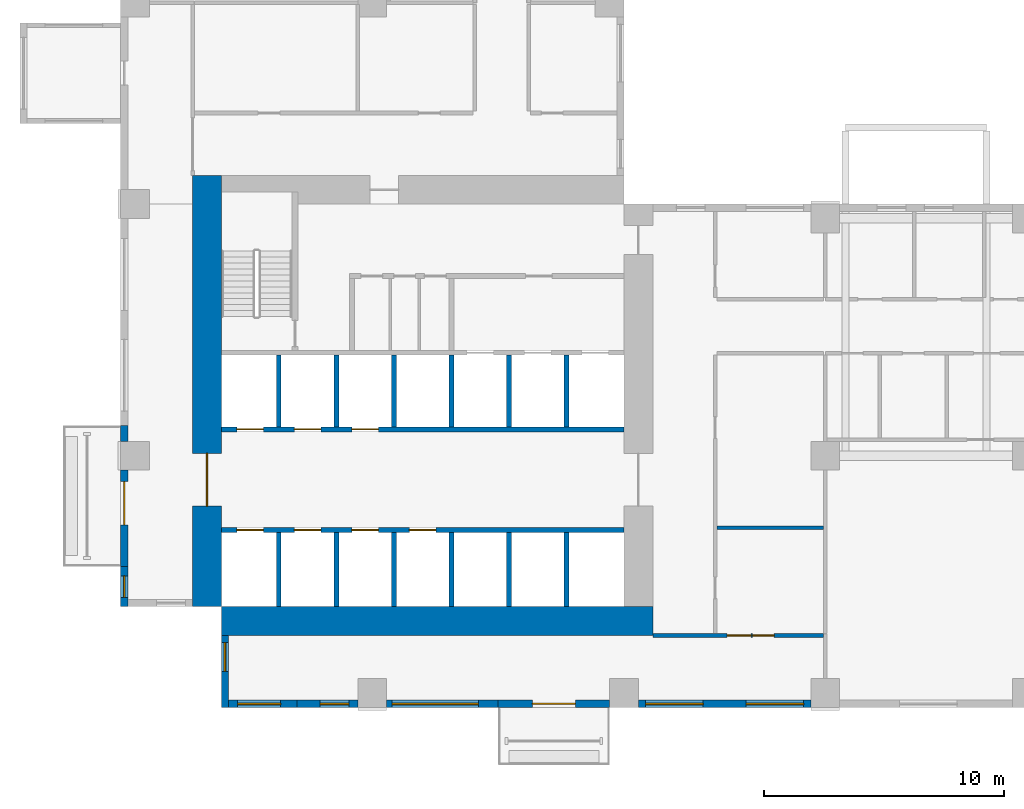
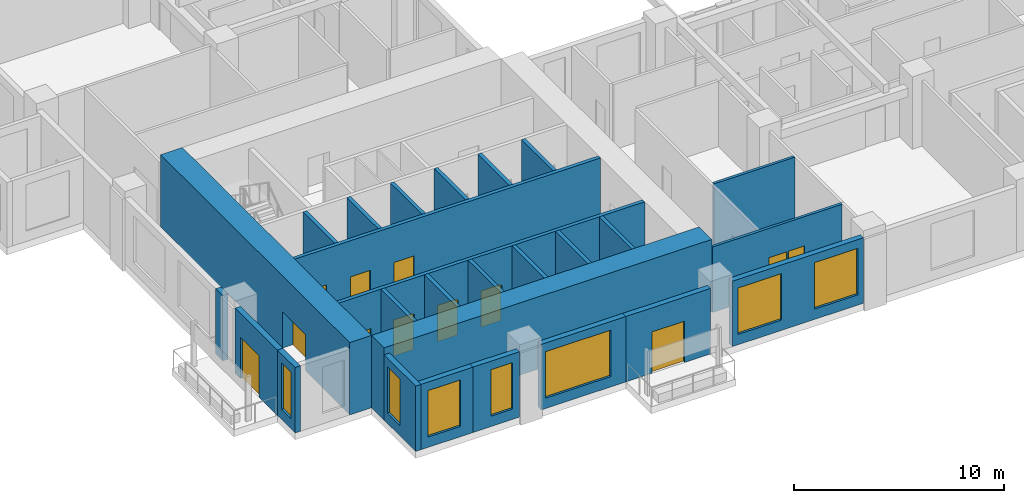
# One storey, part 2 of 14: 27 walls, 12 doors, 7 windows, 19 openings.
"""IFC4 building model written with IfcOpenShell, lengths in metres."""

from ifc_helpers import new_model, si_unit, direction, frame, frame_2d, origin, place, context, subcontext, project, spatial, rectangle, extrude, source, transform, mapped, material, layer, layer_set, type_object, element, fill, save


model = new_model("IFC4")

# Units and contexts
model_context = context("Model", 3, precision=1e-05, world=origin(), true_north=direction((0.0, 1.0)))
body_context = subcontext(model_context, "Body", "Model", "MODEL_VIEW")
ifc_project = project(units=[si_unit("LENGTHUNIT", "METRE"), si_unit("AREAUNIT", "SQUARE_METRE"), si_unit("VOLUMEUNIT", "CUBIC_METRE"), si_unit("PLANEANGLEUNIT", "RADIAN"), si_unit("MASSUNIT", "GRAM", prefix="KILO")], contexts=[model_context])

# Site, building, storey
site_placement = place(None, origin())
site = spatial("IfcSite", under=ifc_project, at=site_placement, CompositionType="ELEMENT")
building_placement = place(site_placement, origin())
building = spatial("IfcBuilding", under=site, at=building_placement, Name="Aurelian Terraces", CompositionType="ELEMENT")
storey_placement = place(building_placement, frame((0.0, 0.0, 86.7)))
storey = spatial("IfcBuildingStorey", under=building, at=storey_placement, Name="L18", CompositionType="ELEMENT", Elevation=86.7)

# Wall, opening, door
ifc_material_1 = material(Name="Concrete fc' 83 MPa", Category="concrete")
ifc_layer_1 = layer(ifc_material_1, 1.2)
ifc_layer_set_1 = layer_set([ifc_layer_1], Name="CORE WALL 1200 FC83")
wall_type_1 = type_object("IfcWallType", Name="CORE WALL 1200 FC83", PredefinedType="SHEAR", material=ifc_layer_set_1)
shared_shape_1 = source(origin(), body_context, "Body", "SweptSolid", [
    extrude(rectangle(XDim=18.0, YDim=1.2, at=frame_2d((9.0, 0.0))), origin(), (0.0, 0.0, 1.0), 4.2),
])
wall_1_placement = place(storey_placement, frame((3.6, 4.2, 0.0), z_axis=(0.0, 0.0, 1.0), x_axis=(0.0, 1.0, 0.0)))
wall_1 = element("IfcWall", 1, at=wall_1_placement, inside=storey, type_object=wall_type_1, Name="Core wall W L18", PredefinedType="SHEAR", context=body_context, shape_type="MappedRepresentation", body=[
    mapped(shared_shape_1, transform((0.0, 0.0, 0.0), scale=1.0)),
])
shared_shape_2 = source(origin(), body_context, "Body", "SweptSolid", [
    extrude(rectangle(XDim=2.2, YDim=2.1, at=frame_2d((1.1, 1.05))), frame((0.0, 0.61, 0.0), z_axis=(0.0, -1.0, 0.0), x_axis=(1.0, 0.0, 0.0)), (0.0, 0.0, 1.0), 1.22),
])
opening_1_placement = place(wall_1_placement, frame((4.2, 0.0, 0.0)))
opening_1 = element("IfcOpeningElement", 2, at=opening_1_placement, cuts=wall_1, Name="Opening 62122", PredefinedType="OPENING", context=body_context, shape_type="MappedRepresentation", body=[
    mapped(shared_shape_2, transform((0.0, 0.0, 0.0), scale=1.0)),
])
ifc_material_2 = material(Name="Steel door leaf", Category="steel")
door_type_1 = type_object("IfcDoorType", Name="Core double door 2200x2100", OperationType="DOUBLE_DOOR_SINGLE_SWING", PredefinedType="DOOR", material=ifc_material_2)
shared_shape_3 = source(origin(), body_context, "Body", "SweptSolid", [
    extrude(rectangle(XDim=2.2, YDim=2.1, at=frame_2d((1.1, 1.05))), frame((0.0, 0.025, 0.0), z_axis=(0.0, -1.0, 0.0), x_axis=(1.0, 0.0, 0.0)), (0.0, 0.0, 1.0), 0.05),
])
door_1_placement = place(opening_1_placement, origin())
door_1 = element("IfcDoor", 3, at=door_1_placement, inside=storey, type_object=door_type_1, Name="Core door 62122", OperationType="DOUBLE_DOOR_SINGLE_SWING", OverallHeight=2.1, OverallWidth=2.2, PredefinedType="DOOR", context=body_context, shape_type="MappedRepresentation", body=[
    mapped(shared_shape_3, transform((0.0, 0.0, 0.0), scale=1.0)),
])
fill(opening_1, door_1)

# Wall
wall_2_placement = place(storey_placement, frame((4.2, 3.6, 0.0), z_axis=(0.0, 0.0, 1.0), x_axis=(1.0, 0.0, 0.0)))
element("IfcWall", 4, at=wall_2_placement, inside=storey, type_object=wall_type_1, Name="Core wall S L18", PredefinedType="SHEAR", context=body_context, shape_type="MappedRepresentation", body=[
    mapped(shared_shape_1, transform((0.0, 0.0, 0.0), scale=1.0)),
])

# Wall, opening, window
ifc_material_3 = material(Name="Terracotta rainscreen cladding", Category="masonry")
ifc_layer_2 = layer(ifc_material_3, 0.3)
ifc_layer_set_2 = layer_set([ifc_layer_2], Name="EW-300")
wall_type_2 = type_object("IfcWallType", Name="EW-300", PredefinedType="STANDARD", material=ifc_layer_set_2)
shared_shape_4 = source(origin(), body_context, "Body", "SweptSolid", [
    extrude(rectangle(XDim=4.65, YDim=0.3, at=frame_2d((2.325, 0.0))), origin(), (0.0, 0.0, 1.0), 3.8),
])
wall_3_placement = place(storey_placement, frame((11.1, 0.15, 0.0), z_axis=(0.0, 0.0, 1.0), x_axis=(1.0, 0.0, 0.0)))
wall_3 = element("IfcWall", 5, at=wall_3_placement, inside=storey, type_object=wall_type_2, Name="External wall L18 F01.3", PredefinedType="STANDARD", context=body_context, shape_type="MappedRepresentation", body=[
    mapped(shared_shape_4, transform((0.0, 0.0, 0.0), scale=1.0)),
])
shared_shape_5 = source(origin(), body_context, "Body", "SweptSolid", [
    extrude(rectangle(XDim=3.6, YDim=2.7, at=frame_2d((1.8, 1.35))), frame((0.0, 0.16, 0.0), z_axis=(0.0, -1.0, 0.0), x_axis=(1.0, 0.0, 0.0)), (0.0, 0.0, 1.0), 0.32),
])
opening_2_placement = place(wall_3_placement, frame((0.225, 0.0, 0.6)))
opening_2 = element("IfcOpeningElement", 6, at=opening_2_placement, cuts=wall_3, Name="Opening W3627", PredefinedType="OPENING", context=body_context, shape_type="MappedRepresentation", body=[
    mapped(shared_shape_5, transform((0.0, 0.0, 0.0), scale=1.0)),
])
ifc_material_4 = material(Name="Clear glazing", Category="glass")
window_type_1 = type_object("IfcWindowType", Name="W-3600x2700", PartitioningType="SINGLE_PANEL", PredefinedType="WINDOW", material=ifc_material_4)
shared_shape_6 = source(origin(), body_context, "Body", "SweptSolid", [
    extrude(rectangle(XDim=3.6, YDim=2.7, at=frame_2d((1.8, 1.35))), frame((0.0, 0.03, 0.0), z_axis=(0.0, -1.0, 0.0), x_axis=(1.0, 0.0, 0.0)), (0.0, 0.0, 1.0), 0.06),
])
window_1_placement = place(opening_2_placement, origin())
window_1 = element("IfcWindow", 7, at=window_1_placement, inside=storey, type_object=window_type_1, Name="Window L18 L18-F01-03-0", OverallHeight=2.7, OverallWidth=3.6, PartitioningType="SINGLE_PANEL", PredefinedType="WINDOW", context=body_context, shape_type="MappedRepresentation", body=[
    mapped(shared_shape_6, transform((0.0, 0.0, 0.0), scale=1.0)),
])
fill(opening_2, window_1)

# Wall, opening, door
wall_4_placement = place(storey_placement, frame((15.75, 0.15, 0.0), z_axis=(0.0, 0.0, 1.0), x_axis=(1.0, 0.0, 0.0)))
wall_4 = element("IfcWall", 8, at=wall_4_placement, inside=storey, type_object=wall_type_2, Name="External wall L18 F01.4", PredefinedType="STANDARD", context=body_context, shape_type="MappedRepresentation", body=[
    mapped(shared_shape_4, transform((0.0, 0.0, 0.0), scale=1.0)),
])
shared_shape_7 = source(origin(), body_context, "Body", "SweptSolid", [
    extrude(rectangle(XDim=1.8, YDim=2.4, at=frame_2d((0.9, 1.2))), frame((0.0, 0.16, 0.0), z_axis=(0.0, -1.0, 0.0), x_axis=(1.0, 0.0, 0.0)), (0.0, 0.0, 1.0), 0.32),
])
opening_3_placement = place(wall_4_placement, frame((1.425, 0.0, 0.0)))
opening_3 = element("IfcOpeningElement", 9, at=opening_3_placement, cuts=wall_4, Name="Opening 81801", PredefinedType="OPENING", context=body_context, shape_type="MappedRepresentation", body=[
    mapped(shared_shape_7, transform((0.0, 0.0, 0.0), scale=1.0)),
])
door_type_2 = type_object("IfcDoorType", Name="BD-1800x2400", OperationType="SLIDING_TO_LEFT", PredefinedType="DOOR", material=ifc_material_4)
shared_shape_8 = source(origin(), body_context, "Body", "SweptSolid", [
    extrude(rectangle(XDim=1.8, YDim=2.4, at=frame_2d((0.9, 1.2))), frame((0.0, 0.025, 0.0), z_axis=(0.0, -1.0, 0.0), x_axis=(1.0, 0.0, 0.0)), (0.0, 0.0, 1.0), 0.05),
])
door_2_placement = place(opening_3_placement, origin())
door_2 = element("IfcDoor", 10, at=door_2_placement, inside=storey, type_object=door_type_2, Name="Balcony door L18 F01.4", OperationType="SLIDING_TO_LEFT", OverallHeight=2.4, OverallWidth=1.8, PredefinedType="DOOR", context=body_context, shape_type="MappedRepresentation", body=[
    mapped(shared_shape_8, transform((0.0, 0.0, 0.0), scale=1.0)),
])
fill(opening_3, door_2)

# Wall, openings, windows
shared_shape_9 = source(origin(), body_context, "Body", "SweptSolid", [
    extrude(rectangle(XDim=7.2, YDim=0.3, at=frame_2d((3.6, 0.0))), origin(), (0.0, 0.0, 1.0), 3.8),
])
wall_5_placement = place(storey_placement, frame((21.6, 0.15, 0.0), z_axis=(0.0, 0.0, 1.0), x_axis=(1.0, 0.0, 0.0)))
wall_5 = element("IfcWall", 11, at=wall_5_placement, inside=storey, type_object=wall_type_2, Name="External wall L18 F01.5", PredefinedType="STANDARD", context=body_context, shape_type="MappedRepresentation", body=[
    mapped(shared_shape_9, transform((0.0, 0.0, 0.0), scale=1.0)),
])
shared_shape_10 = source(origin(), body_context, "Body", "SweptSolid", [
    extrude(rectangle(XDim=2.4, YDim=2.7, at=frame_2d((1.2, 1.35))), frame((0.0, 0.16, 0.0), z_axis=(0.0, -1.0, 0.0), x_axis=(1.0, 0.0, 0.0)), (0.0, 0.0, 1.0), 0.32),
])
opening_4_placement = place(wall_5_placement, frame((0.3, 0.0, 0.6)))
opening_4 = element("IfcOpeningElement", 12, at=opening_4_placement, cuts=wall_5, Name="Opening W2427", PredefinedType="OPENING", context=body_context, shape_type="MappedRepresentation", body=[
    mapped(shared_shape_10, transform((0.0, 0.0, 0.0), scale=1.0)),
])
opening_5_placement = place(wall_5_placement, frame((4.5, 0.0, 0.6)))
opening_5 = element("IfcOpeningElement", 13, at=opening_5_placement, cuts=wall_5, Name="Opening W2427", PredefinedType="OPENING", context=body_context, shape_type="MappedRepresentation", body=[
    mapped(shared_shape_10, transform((0.0, 0.0, 0.0), scale=1.0)),
])
window_type_2 = type_object("IfcWindowType", Name="W-2400x2700", PartitioningType="SINGLE_PANEL", PredefinedType="WINDOW", material=ifc_material_4)
shared_shape_11 = source(origin(), body_context, "Body", "SweptSolid", [
    extrude(rectangle(XDim=2.4, YDim=2.7, at=frame_2d((1.2, 1.35))), frame((0.0, 0.03, 0.0), z_axis=(0.0, -1.0, 0.0), x_axis=(1.0, 0.0, 0.0)), (0.0, 0.0, 1.0), 0.06),
])
window_2_placement = place(opening_4_placement, origin())
window_2 = element("IfcWindow", 14, at=window_2_placement, inside=storey, type_object=window_type_2, Name="Window L18 L18-F01-05-0", OverallHeight=2.7, OverallWidth=2.4, PartitioningType="SINGLE_PANEL", PredefinedType="WINDOW", context=body_context, shape_type="MappedRepresentation", body=[
    mapped(shared_shape_11, transform((0.0, 0.0, 0.0), scale=1.0)),
])
fill(opening_4, window_2)
window_3_placement = place(opening_5_placement, origin())
window_3 = element("IfcWindow", 15, at=window_3_placement, inside=storey, type_object=window_type_2, Name="Window L18 L18-F01-05-1", OverallHeight=2.7, OverallWidth=2.4, PartitioningType="SINGLE_PANEL", PredefinedType="WINDOW", context=body_context, shape_type="MappedRepresentation", body=[
    mapped(shared_shape_11, transform((0.0, 0.0, 0.0), scale=1.0)),
])
fill(opening_5, window_3)

# Wall, opening, window
shared_shape_12 = source(origin(), body_context, "Body", "SweptSolid", [
    extrude(rectangle(XDim=3.15, YDim=0.3, at=frame_2d((1.575, 0.0))), origin(), (0.0, 0.0, 1.0), 3.8),
])
wall_6_placement = place(storey_placement, frame((4.2, 0.15, 0.0), z_axis=(0.0, 0.0, 1.0), x_axis=(1.0, 0.0, 0.0)))
wall_6 = element("IfcWall", 16, at=wall_6_placement, inside=storey, type_object=wall_type_2, Name="External wall L18 F01.1", PredefinedType="STANDARD", context=body_context, shape_type="MappedRepresentation", body=[
    mapped(shared_shape_12, transform((0.0, 0.0, 0.0), scale=1.0)),
])
shared_shape_13 = source(origin(), body_context, "Body", "SweptSolid", [
    extrude(rectangle(XDim=1.8, YDim=2.7, at=frame_2d((0.9, 1.35))), frame((0.0, 0.16, 0.0), z_axis=(0.0, -1.0, 0.0), x_axis=(1.0, 0.0, 0.0)), (0.0, 0.0, 1.0), 0.32),
])
opening_6_placement = place(wall_6_placement, frame((0.675, 0.0, 0.6)))
opening_6 = element("IfcOpeningElement", 17, at=opening_6_placement, cuts=wall_6, Name="Opening W1827", PredefinedType="OPENING", context=body_context, shape_type="MappedRepresentation", body=[
    mapped(shared_shape_13, transform((0.0, 0.0, 0.0), scale=1.0)),
])
window_type_3 = type_object("IfcWindowType", Name="W-1800x2700", PartitioningType="SINGLE_PANEL", PredefinedType="WINDOW", material=ifc_material_4)
shared_shape_14 = source(origin(), body_context, "Body", "SweptSolid", [
    extrude(rectangle(XDim=1.8, YDim=2.7, at=frame_2d((0.9, 1.35))), frame((0.0, 0.03, 0.0), z_axis=(0.0, -1.0, 0.0), x_axis=(1.0, 0.0, 0.0)), (0.0, 0.0, 1.0), 0.06),
])
window_4_placement = place(opening_6_placement, origin())
window_4 = element("IfcWindow", 18, at=window_4_placement, inside=storey, type_object=window_type_3, Name="Window L18 L18-F01-01-0", OverallHeight=2.7, OverallWidth=1.8, PartitioningType="SINGLE_PANEL", PredefinedType="WINDOW", context=body_context, shape_type="MappedRepresentation", body=[
    mapped(shared_shape_14, transform((0.0, 0.0, 0.0), scale=1.0)),
])
fill(opening_6, window_4)

shared_shape_15 = source(origin(), body_context, "Body", "SweptSolid", [
    extrude(rectangle(XDim=1.68, YDim=0.3, at=frame_2d((0.84, 0.0))), origin(), (0.0, 0.0, 1.0), 3.8),
])
wall_7_placement = place(storey_placement, frame((0.15, 5.88, 0.0), z_axis=(0.0, 0.0, 1.0), x_axis=(0.0, -1.0, 0.0)))
wall_7 = element("IfcWall", 19, at=wall_7_placement, inside=storey, type_object=wall_type_2, Name="External wall L18 F12.33", PredefinedType="STANDARD", context=body_context, shape_type="MappedRepresentation", body=[
    mapped(shared_shape_15, transform((0.0, 0.0, 0.0), scale=1.0)),
])
shared_shape_16 = source(origin(), body_context, "Body", "SweptSolid", [
    extrude(rectangle(XDim=0.9, YDim=2.7, at=frame_2d((0.45, 1.35))), frame((0.0, 0.16, 0.0), z_axis=(0.0, -1.0, 0.0), x_axis=(1.0, 0.0, 0.0)), (0.0, 0.0, 1.0), 0.32),
])
opening_7_placement = place(wall_7_placement, frame((0.39, 0.0, 0.6)))
opening_7 = element("IfcOpeningElement", 20, at=opening_7_placement, cuts=wall_7, Name="Opening W0927", PredefinedType="OPENING", context=body_context, shape_type="MappedRepresentation", body=[
    mapped(shared_shape_16, transform((0.0, 0.0, 0.0), scale=1.0)),
])
window_type_4 = type_object("IfcWindowType", Name="W-900x2700", PartitioningType="SINGLE_PANEL", PredefinedType="WINDOW", material=ifc_material_4)
shared_shape_17 = source(origin(), body_context, "Body", "SweptSolid", [
    extrude(rectangle(XDim=0.9, YDim=2.7, at=frame_2d((0.45, 1.35))), frame((0.0, 0.03, 0.0), z_axis=(0.0, -1.0, 0.0), x_axis=(1.0, 0.0, 0.0)), (0.0, 0.0, 1.0), 0.06),
])
window_5_placement = place(opening_7_placement, origin())
window_5 = element("IfcWindow", 21, at=window_5_placement, inside=storey, type_object=window_type_4, Name="Window L18 L18-F12-33-P0", OverallHeight=2.7, OverallWidth=0.9, PartitioningType="SINGLE_PANEL", PredefinedType="WINDOW", context=body_context, shape_type="MappedRepresentation", body=[
    mapped(shared_shape_17, transform((0.0, 0.0, 0.0), scale=1.0)),
])
fill(opening_7, window_5)

shared_shape_18 = source(origin(), body_context, "Body", "SweptSolid", [
    extrude(rectangle(XDim=3.0, YDim=0.3, at=frame_2d((1.5, 0.0))), origin(), (0.0, 0.0, 1.0), 3.8),
])
wall_8_placement = place(storey_placement, frame((4.35, 3.0, 0.0), z_axis=(0.0, 0.0, 1.0), x_axis=(0.0, -1.0, 0.0)))
wall_8 = element("IfcWall", 22, at=wall_8_placement, inside=storey, type_object=wall_type_2, Name="External wall L18 F14.35", PredefinedType="STANDARD", context=body_context, shape_type="MappedRepresentation", body=[
    mapped(shared_shape_18, transform((0.0, 0.0, 0.0), scale=1.0)),
])
shared_shape_19 = source(origin(), body_context, "Body", "SweptSolid", [
    extrude(rectangle(XDim=1.2, YDim=2.7, at=frame_2d((0.6, 1.35))), frame((0.0, 0.16, 0.0), z_axis=(0.0, -1.0, 0.0), x_axis=(1.0, 0.0, 0.0)), (0.0, 0.0, 1.0), 0.32),
])
opening_8_placement = place(wall_8_placement, frame((0.3, 0.0, 0.6)))
opening_8 = element("IfcOpeningElement", 23, at=opening_8_placement, cuts=wall_8, Name="Opening W1227", PredefinedType="OPENING", context=body_context, shape_type="MappedRepresentation", body=[
    mapped(shared_shape_19, transform((0.0, 0.0, 0.0), scale=1.0)),
])
window_type_5 = type_object("IfcWindowType", Name="W-1200x2700", PartitioningType="SINGLE_PANEL", PredefinedType="WINDOW", material=ifc_material_4)
shared_shape_20 = source(origin(), body_context, "Body", "SweptSolid", [
    extrude(rectangle(XDim=1.2, YDim=2.7, at=frame_2d((0.6, 1.35))), frame((0.0, 0.03, 0.0), z_axis=(0.0, -1.0, 0.0), x_axis=(1.0, 0.0, 0.0)), (0.0, 0.0, 1.0), 0.06),
])
window_6_placement = place(opening_8_placement, origin())
window_6 = element("IfcWindow", 24, at=window_6_placement, inside=storey, type_object=window_type_5, Name="Window L18 L18-F14-35-0", OverallHeight=2.7, OverallWidth=1.2, PartitioningType="SINGLE_PANEL", PredefinedType="WINDOW", context=body_context, shape_type="MappedRepresentation", body=[
    mapped(shared_shape_20, transform((0.0, 0.0, 0.0), scale=1.0)),
])
fill(opening_8, window_6)

shared_shape_21 = source(origin(), body_context, "Body", "SweptSolid", [
    extrude(rectangle(XDim=2.55, YDim=0.3, at=frame_2d((1.275, 0.0))), origin(), (0.0, 0.0, 1.0), 3.8),
])
wall_9_placement = place(storey_placement, frame((7.35, 0.15, 0.0), z_axis=(0.0, 0.0, 1.0), x_axis=(1.0, 0.0, 0.0)))
wall_9 = element("IfcWall", 25, at=wall_9_placement, inside=storey, type_object=wall_type_2, Name="External wall L18 F01.2", PredefinedType="STANDARD", context=body_context, shape_type="MappedRepresentation", body=[
    mapped(shared_shape_21, transform((0.0, 0.0, 0.0), scale=1.0)),
])
opening_9_placement = place(wall_9_placement, frame((0.975, 0.0, 0.6)))
opening_9 = element("IfcOpeningElement", 26, at=opening_9_placement, cuts=wall_9, Name="Opening W1227", PredefinedType="OPENING", context=body_context, shape_type="MappedRepresentation", body=[
    mapped(shared_shape_19, transform((0.0, 0.0, 0.0), scale=1.0)),
])
window_7_placement = place(opening_9_placement, origin())
window_7 = element("IfcWindow", 27, at=window_7_placement, inside=storey, type_object=window_type_5, Name="Window L18 L18-F01-02-0", OverallHeight=2.7, OverallWidth=1.2, PartitioningType="SINGLE_PANEL", PredefinedType="WINDOW", context=body_context, shape_type="MappedRepresentation", body=[
    mapped(shared_shape_20, transform((0.0, 0.0, 0.0), scale=1.0)),
])
fill(opening_9, window_7)

# Wall
shared_shape_22 = source(origin(), body_context, "Body", "SweptSolid", [
    extrude(rectangle(XDim=0.66, YDim=0.3, at=frame_2d((0.33, 0.0))), origin(), (0.0, 0.0, 1.0), 3.8),
])
wall_10_placement = place(storey_placement, frame((0.15, 11.76, 0.0), z_axis=(0.0, 0.0, 1.0), x_axis=(0.0, -1.0, 0.0)))
element("IfcWall", 28, at=wall_10_placement, inside=storey, type_object=wall_type_2, Name="External wall L18 F12.32", PredefinedType="STANDARD", context=body_context, shape_type="MappedRepresentation", body=[
    mapped(shared_shape_22, transform((0.0, 0.0, 0.0), scale=1.0)),
])

# Wall, opening, door
shared_shape_23 = source(origin(), body_context, "Body", "SweptSolid", [
    extrude(rectangle(XDim=4.02, YDim=0.3, at=frame_2d((2.01, 0.0))), origin(), (0.0, 0.0, 1.0), 3.8),
])
wall_11_placement = place(storey_placement, frame((0.15, 9.9, 0.0), z_axis=(0.0, 0.0, 1.0), x_axis=(0.0, -1.0, 0.0)))
wall_11 = element("IfcWall", 29, at=wall_11_placement, inside=storey, type_object=wall_type_2, Name="External wall L18 F12.32", PredefinedType="STANDARD", context=body_context, shape_type="MappedRepresentation", body=[
    mapped(shared_shape_23, transform((0.0, 0.0, 0.0), scale=1.0)),
])
opening_10_placement = place(wall_11_placement, frame((0.48, 0.0, 0.0)))
opening_10 = element("IfcOpeningElement", 30, at=opening_10_placement, cuts=wall_11, Name="Opening 81802", PredefinedType="OPENING", context=body_context, shape_type="MappedRepresentation", body=[
    mapped(shared_shape_7, transform((0.0, 0.0, 0.0), scale=1.0)),
])
door_3_placement = place(opening_10_placement, origin())
door_3 = element("IfcDoor", 31, at=door_3_placement, inside=storey, type_object=door_type_2, Name="Balcony door L18 F12.32", OperationType="SLIDING_TO_LEFT", OverallHeight=2.4, OverallWidth=1.8, PredefinedType="DOOR", context=body_context, shape_type="MappedRepresentation", body=[
    mapped(shared_shape_8, transform((0.0, 0.0, 0.0), scale=1.0)),
])
fill(opening_10, door_3)

# Walls
ifc_material_5 = material(Name="Concrete fc' 40 MPa", Category="concrete")
ifc_layer_3 = layer(ifc_material_5, 0.2)
ifc_layer_set_3 = layer_set([ifc_layer_3], Name="Lift shaft wall 200")
wall_type_3 = type_object("IfcWallType", Name="Lift shaft wall 200", PredefinedType="SOLIDWALL", material=ifc_layer_set_3)
shared_shape_24 = source(origin(), body_context, "Body", "SweptSolid", [
    extrude(rectangle(XDim=3.1, YDim=0.2, at=frame_2d((1.55, 0.0))), origin(), (0.0, 0.0, 1.0), 4.2),
])
for number, where, z_axis, x_axis, name in (
    (32, (6.6, 4.2, 0.0), (0.0, 0.0, 1.0), (0.0, 1.0, 0.0), "L18 core wall CD-A1"),
    (33, (9.0, 4.2, 0.0), (0.0, 0.0, 1.0), (0.0, 1.0, 0.0), "L18 core wall CD-A2"),
    (34, (11.4, 4.2, 0.0), (0.0, 0.0, 1.0), (0.0, 1.0, 0.0), "L18 core wall CD-A3"),
    (35, (13.8, 4.2, 0.0), (0.0, 0.0, 1.0), (0.0, 1.0, 0.0), "L18 core wall CD-A4"),
    (36, (16.2, 4.2, 0.0), (0.0, 0.0, 1.0), (0.0, 1.0, 0.0), "L18 core wall CD-A5"),
    (37, (18.6, 4.2, 0.0), (0.0, 0.0, 1.0), (0.0, 1.0, 0.0), "L18 core wall CD-A6"),
):
    element("IfcWall", number, at=place(storey_placement, frame(where, z_axis=z_axis, x_axis=x_axis)), inside=storey, type_object=wall_type_3, Name=name, PredefinedType="SOLIDWALL", context=body_context, shape_type="MappedRepresentation", body=[
        mapped(shared_shape_24, transform((0.0, 0.0, 0.0), scale=1.0)),
    ])
shared_shape_25 = source(origin(), body_context, "Body", "SweptSolid", [
    extrude(rectangle(XDim=3.0, YDim=0.2, at=frame_2d((1.5, 0.0))), origin(), (0.0, 0.0, 1.0), 4.2),
])
for number, where, z_axis, x_axis, name in (
    (38, (6.6, 11.7, 0.0), (0.0, 0.0, 1.0), (0.0, 1.0, 0.0), "L18 core wall CD-B1"),
    (39, (9.0, 11.7, 0.0), (0.0, 0.0, 1.0), (0.0, 1.0, 0.0), "L18 core wall CD-B2"),
    (40, (11.4, 11.7, 0.0), (0.0, 0.0, 1.0), (0.0, 1.0, 0.0), "L18 core wall CD-B3"),
    (41, (13.8, 11.7, 0.0), (0.0, 0.0, 1.0), (0.0, 1.0, 0.0), "L18 core wall CD-B4"),
    (42, (16.2, 11.7, 0.0), (0.0, 0.0, 1.0), (0.0, 1.0, 0.0), "L18 core wall CD-B5"),
    (43, (18.6, 11.7, 0.0), (0.0, 0.0, 1.0), (0.0, 1.0, 0.0), "L18 core wall CD-B6"),
):
    element("IfcWall", number, at=place(storey_placement, frame(where, z_axis=z_axis, x_axis=x_axis)), inside=storey, type_object=wall_type_3, Name=name, PredefinedType="SOLIDWALL", context=body_context, shape_type="MappedRepresentation", body=[
        mapped(shared_shape_25, transform((0.0, 0.0, 0.0), scale=1.0)),
    ])

# Wall, openings, doors
shared_shape_26 = source(origin(), body_context, "Body", "SweptSolid", [
    extrude(rectangle(XDim=16.8, YDim=0.2, at=frame_2d((8.4, 0.0))), origin(), (0.0, 0.0, 1.0), 4.2),
])
wall_12_placement = place(storey_placement, frame((4.2, 7.4, 0.0), z_axis=(0.0, 0.0, 1.0), x_axis=(1.0, 0.0, 0.0)))
wall_12 = element("IfcWall", 44, at=wall_12_placement, inside=storey, type_object=wall_type_3, Name="L18 core wall CF-AF1", PredefinedType="SOLIDWALL", context=body_context, shape_type="MappedRepresentation", body=[
    mapped(shared_shape_26, transform((0.0, 0.0, 0.0), scale=1.0)),
])
shared_shape_27 = source(origin(), body_context, "Body", "SweptSolid", [
    extrude(rectangle(XDim=1.1, YDim=2.1, at=frame_2d((0.55, 1.05))), frame((0.0, 0.11, 0.0), z_axis=(0.0, -1.0, 0.0), x_axis=(1.0, 0.0, 0.0)), (0.0, 0.0, 1.0), 0.22),
])
opening_11_placement = place(wall_12_placement, frame((0.65, 0.0, 0.0)))
opening_11 = element("IfcOpeningElement", 45, at=opening_11_placement, cuts=wall_12, Name="Opening 62100", PredefinedType="OPENING", context=body_context, shape_type="MappedRepresentation", body=[
    mapped(shared_shape_27, transform((0.0, 0.0, 0.0), scale=1.0)),
])
opening_12_placement = place(wall_12_placement, frame((3.05, 0.0, 0.0)))
opening_12 = element("IfcOpeningElement", 46, at=opening_12_placement, cuts=wall_12, Name="Opening 62101", PredefinedType="OPENING", context=body_context, shape_type="MappedRepresentation", body=[
    mapped(shared_shape_27, transform((0.0, 0.0, 0.0), scale=1.0)),
])
opening_13_placement = place(wall_12_placement, frame((5.45, 0.0, 0.0)))
opening_13 = element("IfcOpeningElement", 47, at=opening_13_placement, cuts=wall_12, Name="Opening 62102", PredefinedType="OPENING", context=body_context, shape_type="MappedRepresentation", body=[
    mapped(shared_shape_27, transform((0.0, 0.0, 0.0), scale=1.0)),
])
opening_14_placement = place(wall_12_placement, frame((7.85, 0.0, 0.0)))
opening_14 = element("IfcOpeningElement", 48, at=opening_14_placement, cuts=wall_12, Name="Opening 62103", PredefinedType="OPENING", context=body_context, shape_type="MappedRepresentation", body=[
    mapped(shared_shape_27, transform((0.0, 0.0, 0.0), scale=1.0)),
])
ifc_material_6 = material(Name="Stainless steel", Category="steel")
door_type_3 = type_object("IfcDoorType", Name="Lift landing door 1100x2100", OperationType="SLIDING_TO_LEFT", PredefinedType="DOOR", material=ifc_material_6)
shared_shape_28 = source(origin(), body_context, "Body", "SweptSolid", [
    extrude(rectangle(XDim=1.1, YDim=2.1, at=frame_2d((0.55, 1.05))), frame((0.0, 0.025, 0.0), z_axis=(0.0, -1.0, 0.0), x_axis=(1.0, 0.0, 0.0)), (0.0, 0.0, 1.0), 0.05),
])
door_4_placement = place(opening_11_placement, origin())
door_4 = element("IfcDoor", 49, at=door_4_placement, inside=storey, type_object=door_type_3, Name="Lift landing door LL1 L18", OperationType="SLIDING_TO_LEFT", OverallHeight=2.1, OverallWidth=1.1, PredefinedType="DOOR", context=body_context, shape_type="MappedRepresentation", body=[
    mapped(shared_shape_28, transform((0.0, 0.0, 0.0), scale=1.0)),
])
fill(opening_11, door_4)
door_5_placement = place(opening_12_placement, origin())
door_5 = element("IfcDoor", 50, at=door_5_placement, inside=storey, type_object=door_type_3, Name="Lift landing door LL2 L18", OperationType="SLIDING_TO_LEFT", OverallHeight=2.1, OverallWidth=1.1, PredefinedType="DOOR", context=body_context, shape_type="MappedRepresentation", body=[
    mapped(shared_shape_28, transform((0.0, 0.0, 0.0), scale=1.0)),
])
fill(opening_12, door_5)
door_6_placement = place(opening_13_placement, origin())
door_6 = element("IfcDoor", 51, at=door_6_placement, inside=storey, type_object=door_type_3, Name="Lift landing door LL3 L18", OperationType="SLIDING_TO_LEFT", OverallHeight=2.1, OverallWidth=1.1, PredefinedType="DOOR", context=body_context, shape_type="MappedRepresentation", body=[
    mapped(shared_shape_28, transform((0.0, 0.0, 0.0), scale=1.0)),
])
fill(opening_13, door_6)
door_7_placement = place(opening_14_placement, origin())
door_7 = element("IfcDoor", 52, at=door_7_placement, inside=storey, type_object=door_type_3, Name="Lift landing door LL4 L18", OperationType="SLIDING_TO_LEFT", OverallHeight=2.1, OverallWidth=1.1, PredefinedType="DOOR", context=body_context, shape_type="MappedRepresentation", body=[
    mapped(shared_shape_28, transform((0.0, 0.0, 0.0), scale=1.0)),
])
fill(opening_14, door_7)

wall_13_placement = place(storey_placement, frame((4.2, 11.6, 0.0), z_axis=(0.0, 0.0, 1.0), x_axis=(1.0, 0.0, 0.0)))
wall_13 = element("IfcWall", 53, at=wall_13_placement, inside=storey, type_object=wall_type_3, Name="L18 core wall CF-BF1", PredefinedType="SOLIDWALL", context=body_context, shape_type="MappedRepresentation", body=[
    mapped(shared_shape_26, transform((0.0, 0.0, 0.0), scale=1.0)),
])
opening_15_placement = place(wall_13_placement, frame((0.65, 0.0, 0.0)))
opening_15 = element("IfcOpeningElement", 54, at=opening_15_placement, cuts=wall_13, Name="Opening 62104", PredefinedType="OPENING", context=body_context, shape_type="MappedRepresentation", body=[
    mapped(shared_shape_27, transform((0.0, 0.0, 0.0), scale=1.0)),
])
opening_16_placement = place(wall_13_placement, frame((3.05, 0.0, 0.0)))
opening_16 = element("IfcOpeningElement", 55, at=opening_16_placement, cuts=wall_13, Name="Opening 62105", PredefinedType="OPENING", context=body_context, shape_type="MappedRepresentation", body=[
    mapped(shared_shape_27, transform((0.0, 0.0, 0.0), scale=1.0)),
])
opening_17_placement = place(wall_13_placement, frame((5.45, 0.0, 0.0)))
opening_17 = element("IfcOpeningElement", 56, at=opening_17_placement, cuts=wall_13, Name="Opening 62106", PredefinedType="OPENING", context=body_context, shape_type="MappedRepresentation", body=[
    mapped(shared_shape_27, transform((0.0, 0.0, 0.0), scale=1.0)),
])
door_8_placement = place(opening_15_placement, origin())
door_8 = element("IfcDoor", 57, at=door_8_placement, inside=storey, type_object=door_type_3, Name="Lift landing door LL5 L18", OperationType="SLIDING_TO_LEFT", OverallHeight=2.1, OverallWidth=1.1, PredefinedType="DOOR", context=body_context, shape_type="MappedRepresentation", body=[
    mapped(shared_shape_28, transform((0.0, 0.0, 0.0), scale=1.0)),
])
fill(opening_15, door_8)
door_9_placement = place(opening_16_placement, origin())
door_9 = element("IfcDoor", 58, at=door_9_placement, inside=storey, type_object=door_type_3, Name="Lift landing door LL6 L18", OperationType="SLIDING_TO_LEFT", OverallHeight=2.1, OverallWidth=1.1, PredefinedType="DOOR", context=body_context, shape_type="MappedRepresentation", body=[
    mapped(shared_shape_28, transform((0.0, 0.0, 0.0), scale=1.0)),
])
fill(opening_16, door_9)
door_10_placement = place(opening_17_placement, origin())
door_10 = element("IfcDoor", 59, at=door_10_placement, inside=storey, type_object=door_type_3, Name="Lift landing door LL7 L18", OperationType="SLIDING_TO_LEFT", OverallHeight=2.1, OverallWidth=1.1, PredefinedType="DOOR", context=body_context, shape_type="MappedRepresentation", body=[
    mapped(shared_shape_28, transform((0.0, 0.0, 0.0), scale=1.0)),
])
fill(opening_17, door_10)

ifc_material_7 = material(Name="Gypsum board on steel studs", Category="steel")
ifc_layer_4 = layer(ifc_material_7, 0.15)
ifc_layer_set_4 = layer_set([ifc_layer_4], Name="Partition 150")
wall_type_4 = type_object("IfcWallType", Name="Partition 150", PredefinedType="PARTITIONING", material=ifc_layer_set_4)
shared_shape_29 = source(origin(), body_context, "Body", "SweptSolid", [
    extrude(rectangle(XDim=7.125, YDim=0.15, at=frame_2d((3.5625, 0.0))), origin(), (0.0, 0.0, 1.0), 3.8),
])
wall_14_placement = place(storey_placement, frame((22.2, 3.0, 0.0), z_axis=(0.0, 0.0, 1.0), x_axis=(1.0, 0.0, 0.0)))
wall_14 = element("IfcWall", 60, at=wall_14_placement, inside=storey, type_object=wall_type_4, Name="Partition", PredefinedType="PARTITIONING", context=body_context, shape_type="MappedRepresentation", body=[
    mapped(shared_shape_29, transform((0.0, 0.0, 0.0), scale=1.0)),
])
shared_shape_30 = source(origin(), body_context, "Body", "SweptSolid", [
    extrude(rectangle(XDim=1.0, YDim=2.1, at=frame_2d((0.5, 1.05))), frame((0.0, 0.085, 0.0), z_axis=(0.0, -1.0, 0.0), x_axis=(1.0, 0.0, 0.0)), (0.0, 0.0, 1.0), 0.17),
])
opening_18_placement = place(wall_14_placement, frame((3.1, 0.0, 0.0)))
opening_18 = element("IfcOpeningElement", 61, at=opening_18_placement, cuts=wall_14, Name="Opening 718004", PredefinedType="OPENING", context=body_context, shape_type="MappedRepresentation", body=[
    mapped(shared_shape_30, transform((0.0, 0.0, 0.0), scale=1.0)),
])
shared_shape_31 = source(origin(), body_context, "Body", "SweptSolid", [
    extrude(rectangle(XDim=0.9, YDim=2.1, at=frame_2d((0.45, 1.05))), frame((0.0, 0.085, 0.0), z_axis=(0.0, -1.0, 0.0), x_axis=(1.0, 0.0, 0.0)), (0.0, 0.0, 1.0), 0.17),
])
opening_19_placement = place(wall_14_placement, frame((4.162, 0.0, 0.0)))
opening_19 = element("IfcOpeningElement", 62, at=opening_19_placement, cuts=wall_14, Name="Opening 718050", PredefinedType="OPENING", context=body_context, shape_type="MappedRepresentation", body=[
    mapped(shared_shape_31, transform((0.0, 0.0, 0.0), scale=1.0)),
])
ifc_material_8 = material(Name="Timber door leaf", Category="wood")
door_type_4 = type_object("IfcDoorType", Name="Room door 1000x2100 right", OperationType="SINGLE_SWING_RIGHT", PredefinedType="DOOR", material=ifc_material_8)
shared_shape_32 = source(origin(), body_context, "Body", "SweptSolid", [
    extrude(rectangle(XDim=1.0, YDim=2.1, at=frame_2d((0.5, 1.05))), frame((0.0, 0.025, 0.0), z_axis=(0.0, -1.0, 0.0), x_axis=(1.0, 0.0, 0.0)), (0.0, 0.0, 1.0), 0.05),
])
door_11_placement = place(opening_18_placement, origin())
door_11 = element("IfcDoor", 63, at=door_11_placement, inside=storey, type_object=door_type_4, Name="Door 718004", OperationType="SINGLE_SWING_RIGHT", OverallHeight=2.1, OverallWidth=1.0, PredefinedType="DOOR", context=body_context, shape_type="MappedRepresentation", body=[
    mapped(shared_shape_32, transform((0.0, 0.0, 0.0), scale=1.0)),
])
fill(opening_18, door_11)
door_type_5 = type_object("IfcDoorType", Name="Room door 900x2100 left", OperationType="SINGLE_SWING_LEFT", PredefinedType="DOOR", material=ifc_material_8)
shared_shape_33 = source(origin(), body_context, "Body", "SweptSolid", [
    extrude(rectangle(XDim=0.9, YDim=2.1, at=frame_2d((0.45, 1.05))), frame((0.0, 0.025, 0.0), z_axis=(0.0, -1.0, 0.0), x_axis=(1.0, 0.0, 0.0)), (0.0, 0.0, 1.0), 0.05),
])
door_12_placement = place(opening_19_placement, origin())
door_12 = element("IfcDoor", 64, at=door_12_placement, inside=storey, type_object=door_type_5, Name="Door 718050", OperationType="SINGLE_SWING_LEFT", OverallHeight=2.1, OverallWidth=0.9, PredefinedType="DOOR", context=body_context, shape_type="MappedRepresentation", body=[
    mapped(shared_shape_33, transform((0.0, 0.0, 0.0), scale=1.0)),
])
fill(opening_19, door_12)

# Wall
shared_shape_34 = source(origin(), body_context, "Body", "SweptSolid", [
    extrude(rectangle(XDim=4.45, YDim=0.15, at=frame_2d((2.225, 0.0))), origin(), (0.0, 0.0, 1.0), 3.8),
])
wall_15_placement = place(storey_placement, frame((29.325, 7.5, 0.0), z_axis=(0.0, 0.0, 1.0), x_axis=(-1.0, 0.0, 0.0)))
element("IfcWall", 65, at=wall_15_placement, inside=storey, type_object=wall_type_4, Name="Partition", PredefinedType="PARTITIONING", context=body_context, shape_type="MappedRepresentation", body=[
    mapped(shared_shape_34, transform((0.0, 0.0, 0.0), scale=1.0)),
])

save(model, "model.ifc")
